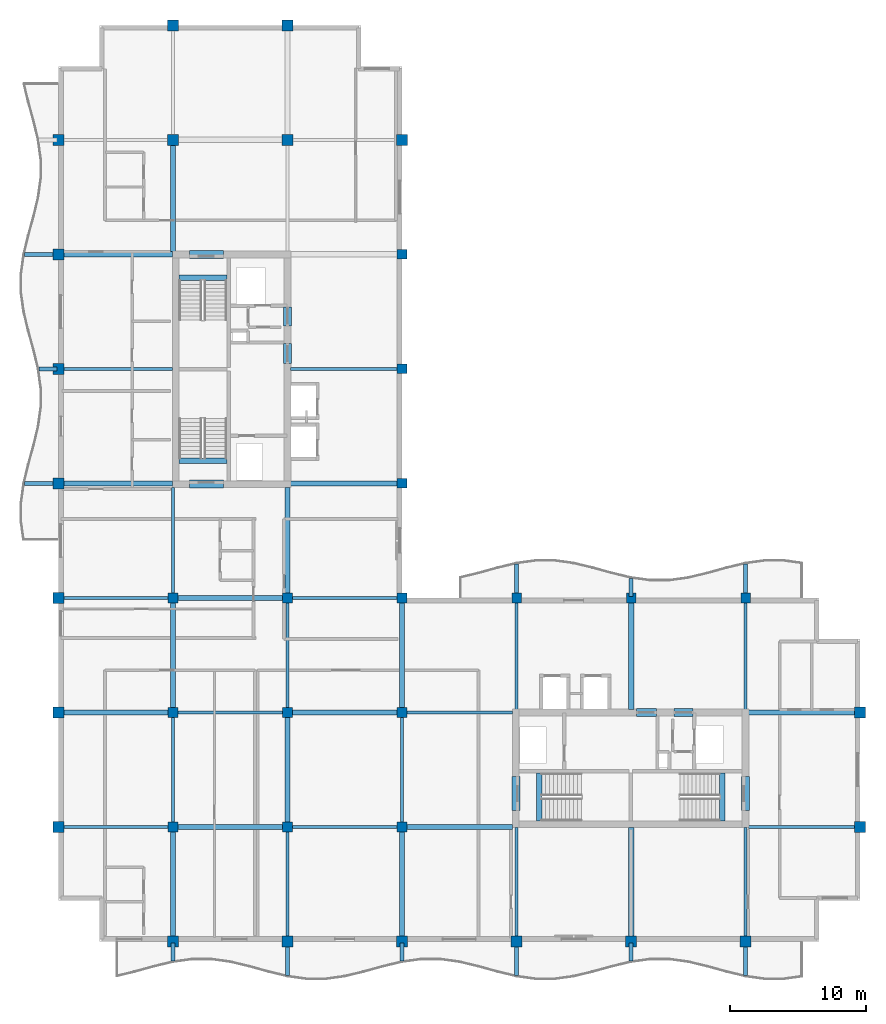
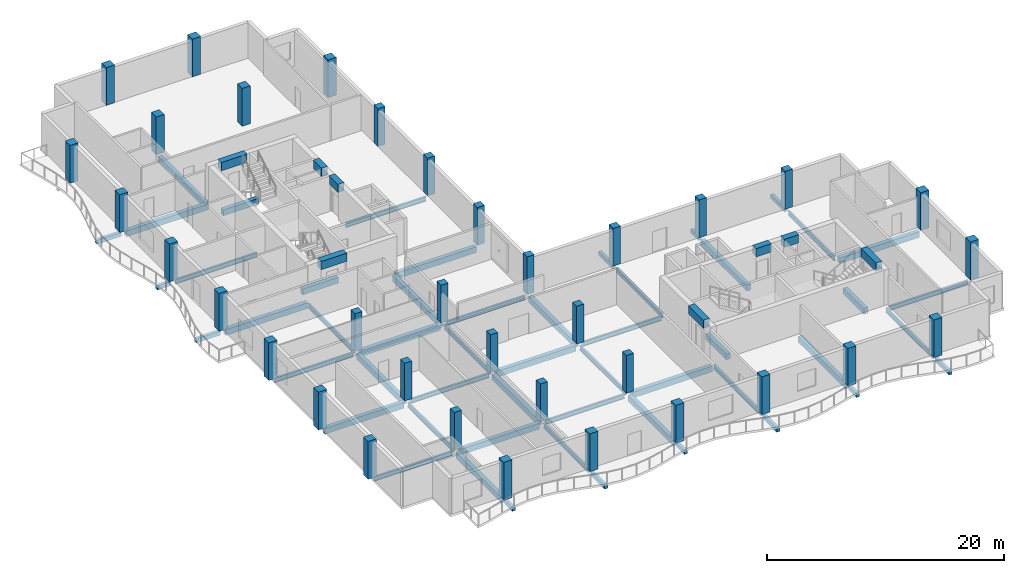
# One storey, part 1 of 11: 60 beams, 35 columns.
"""IFC4 building model written with IfcOpenShell, lengths in metres."""

import ifcopenshell
import ifcopenshell.guid

model = None  # the IFC model being written
_history = None  # IfcOwnerHistory: only IFC2X3 demands one
_inside = {}  # id of a spatial element -> (the spatial element, [elements in it])
_under = {}  # id of a project, library or spatial element -> (it, [spatial elements below it])
_declared = {}  # id of a project -> (the project, [libraries it declares])
_typed = {}  # id of a type object -> (the type object, [elements of that type])
_made_of = {}  # id of a material, layer set ... -> (it, [elements and type objects made of it])


def new_model(schema):
    """Start an empty IFC model of exactly this schema.

    Asked for "IFC4X3", IfcOpenShell would pick the latest addendum, in which some entities
    have other attributes; the version numbers below select the first issue.
    IFC2X3 requires an IfcOwnerHistory on every rooted entity: one is made here for all.
    """
    global model, _history
    if schema == "IFC4X3":
        model = ifcopenshell.file(schema_version=(4, 3, 0, 0))
    else:
        model = ifcopenshell.file(schema=schema)
    _inside.clear()
    _under.clear()
    _declared.clear()
    _typed.clear()
    _made_of.clear()
    _history = None
    if model.schema == "IFC2X3":
        org = make("IfcOrganization", Name="unknown")
        user = make(
            "IfcPersonAndOrganization",
            ThePerson=make("IfcPerson", FamilyName="unknown"),
            TheOrganization=org,
        )
        app = make(
            "IfcApplication",
            ApplicationDeveloper=org,
            Version="unknown",
            ApplicationFullName="unknown",
            ApplicationIdentifier="unknown",
        )
        _history = make(
            "IfcOwnerHistory",
            OwningUser=user,
            OwningApplication=app,
            ChangeAction="ADDED",
            CreationDate=0,
        )
    return model


def make(cls, **values):
    """One entity of the class cls with the attributes given. An attribute that is None is left unset."""
    return model.create_entity(
        cls, **{name: value for name, value in values.items() if value is not None}
    )


def rooted(cls, **values):
    """An entity with a GlobalId (a new one), such as an element, a storey or a relation."""
    return make(cls, GlobalId=ifcopenshell.guid.new(), OwnerHistory=_history, **values)


def si_unit(unit_type, name, prefix=None):
    """IfcSIUnit, for example si_unit("LENGTHUNIT", "METRE", prefix="MILLI")."""
    return make("IfcSIUnit", UnitType=unit_type, Prefix=prefix, Name=name)


def assignment(units):
    """IfcUnitAssignment: the units of a project."""
    return None if units is None else make("IfcUnitAssignment", Units=units)


def point(xyz):
    """IfcCartesianPoint."""
    return None if xyz is None else make("IfcCartesianPoint", Coordinates=xyz)


def direction(xyz):
    """IfcDirection."""
    return None if xyz is None else make("IfcDirection", DirectionRatios=xyz)


def frame(location, z_axis=None, x_axis=None):
    """IfcAxis2Placement3D, a coordinate frame: its origin and axes. An axis left out is left unset."""
    return make(
        "IfcAxis2Placement3D",
        Location=point(location),
        Axis=direction(z_axis),
        RefDirection=direction(x_axis),
    )


def frame_2d(location, x_axis=None):
    """IfcAxis2Placement2D, a coordinate frame in the plane: its origin and x axis."""
    return make(
        "IfcAxis2Placement2D", Location=point(location), RefDirection=direction(x_axis)
    )


def origin():
    """The frame at (0, 0, 0) with its axes left unset."""
    return frame((0.0, 0.0, 0.0))


def origin_2d():
    """The frame at (0, 0) in the plane with its x axis left unset."""
    return frame_2d((0.0, 0.0))


def place(relative_to, where):
    """IfcLocalPlacement: puts the frame where relative to a parent placement (None: the world)."""
    return make(
        "IfcLocalPlacement", PlacementRelTo=relative_to, RelativePlacement=where
    )


def context(
    kind, dimensions, precision=None, world=None, true_north=None, identifier=None
):
    """IfcGeometricRepresentationContext, for example the 3D "Model" context."""
    return make(
        "IfcGeometricRepresentationContext",
        ContextIdentifier=identifier,
        ContextType=kind,
        CoordinateSpaceDimension=dimensions,
        Precision=precision,
        WorldCoordinateSystem=world,
        TrueNorth=true_north,
    )


def subcontext(parent, identifier, kind, view, scale=None):
    """IfcGeometricRepresentationSubContext, for example "Body" below "Model"."""
    return make(
        "IfcGeometricRepresentationSubContext",
        ContextIdentifier=identifier,
        ContextType=kind,
        ParentContext=parent,
        TargetScale=scale,
        TargetView=view,
    )


def project(units=None, contexts=None):
    """IfcProject with its units and contexts."""
    return rooted(
        "IfcProject",
        Name="project",
        RepresentationContexts=contexts,
        UnitsInContext=assignment(units),
    )


def spatial(cls, under=None, at=None, **own):
    """A site, building, storey or space (cls), placed at a placement, below another one or the project."""
    s = rooted(cls, ObjectPlacement=at, **own)
    if under is not None:
        _under.setdefault(under.id(), (under, []))[1].append(s)
    return s


def profile(cls, at=None, kind="AREA", **sizes):
    """A parametric profile (cls). Its sizes go by their IFC names, for example OverallWidth=200.0."""
    return make(cls, ProfileType=kind, Position=at, **sizes)


def rectangle(**sizes):
    """IfcRectangleProfileDef."""
    return profile("IfcRectangleProfileDef", **sizes)


def i_section(**sizes):
    """IfcIShapeProfileDef."""
    return profile("IfcIShapeProfileDef", **sizes)


def extrude(swept, where, along, depth):
    """IfcExtrudedAreaSolid: the profile swept, set in the frame where, extruded along a direction by depth."""
    return make(
        "IfcExtrudedAreaSolid",
        SweptArea=swept,
        Position=where,
        ExtrudedDirection=direction(along),
        Depth=depth,
    )


def shape(context_of_items, identifier, shape_type, items):
    """IfcShapeRepresentation: the items that make up one representation, for example the "Body"."""
    return make(
        "IfcShapeRepresentation",
        ContextOfItems=context_of_items,
        RepresentationIdentifier=identifier,
        RepresentationType=shape_type,
        Items=items,
    )


def material(Name=None, Category=None):
    """IfcMaterial."""
    return make("IfcMaterial", Name=Name, Category=Category)


def material_profile(
    of_material, cross_section, Name=None, Category=None, Priority=None
):
    """IfcMaterialProfile: a cross section and its material."""
    return make(
        "IfcMaterialProfile",
        Name=Name,
        Material=of_material,
        Profile=cross_section,
        Priority=Priority,
        Category=Category,
    )


def profile_set(profiles, Name=None, composite=None):
    """IfcMaterialProfileSet."""
    return make(
        "IfcMaterialProfileSet",
        Name=Name,
        MaterialProfiles=profiles,
        CompositeProfile=composite,
    )


def made_of(thing, what):
    """Note that an element or type object is made of a material, layer set ...; save() writes the relation."""
    if what is not None:
        _made_of.setdefault(what.id(), (what, []))[1].append(thing)
    return thing


def type_object(cls, material=None, **own):
    """A type object (cls), such as IfcWallType, which elements share."""
    return made_of(rooted(cls, **own), material)


def element(
    cls,
    number,
    at=None,
    inside=None,
    cuts=None,
    type_object=None,
    material=None,
    context=None,
    identifier="Body",
    shape_type=None,
    held_by="IfcProductDefinitionShape",
    body=None,
    shapes=None,
    **own,
):
    """One element of the class cls, such as IfcWall. Its Tag is "e" and its number.

    at: its placement. inside: the storey or other place that contains it. cuts: it is an
    opening in that element (IfcRelVoidsElement). A single representation is given by context,
    identifier, shape_type and body (its items); several are given by shapes. held_by: the class
    of the entity that holds the representations. save() writes the other relations.
    """
    e = rooted(cls, Tag="e%d" % number, ObjectPlacement=at, **own)
    if body is not None:
        shapes = [shape(context, identifier, shape_type, body)]
    if shapes is not None:
        e.Representation = make(held_by, Representations=shapes)
    if inside is not None:
        _inside.setdefault(inside.id(), (inside, []))[1].append(e)
    if cuts is not None:
        rooted(
            "IfcRelVoidsElement", RelatingBuildingElement=cuts, RelatedOpeningElement=e
        )
    if type_object is not None:
        _typed.setdefault(type_object.id(), (type_object, []))[1].append(e)
    return made_of(e, material)


def aggregate(whole, parts):
    """IfcRelAggregates: a whole, such as a stair, and the parts it consists of."""
    return rooted("IfcRelAggregates", RelatingObject=whole, RelatedObjects=parts)


def save(model, path):
    """Write the relations noted so far, then the file.

    IfcRelAggregates (storeys below a building ...), IfcRelContainedInSpatialStructure (elements
    in a storey), IfcRelDefinesByType, IfcRelAssociatesMaterial and IfcRelDeclares: one each for
    every whole, place, type object, material and project.
    """
    for whole, parts in _under.values():
        aggregate(whole, parts)
    for where, things in _inside.values():
        rooted(
            "IfcRelContainedInSpatialStructure",
            RelatedElements=things,
            RelatingStructure=where,
        )
    for kind, things in _typed.values():
        rooted("IfcRelDefinesByType", RelatedObjects=things, RelatingType=kind)
    for what, things in _made_of.values():
        rooted("IfcRelAssociatesMaterial", RelatedObjects=things, RelatingMaterial=what)
    for by, libraries in _declared.values():
        rooted("IfcRelDeclares", RelatingContext=by, RelatedDefinitions=libraries)
    model.write(path)


model = new_model("IFC4")

# Units and contexts
model_context = context("Model", 3, precision=1e-05, world=origin(), true_north=direction((0.0, 1.0)))
body_context = subcontext(model_context, "Body", "Model", "MODEL_VIEW")
ifc_project = project(units=[si_unit("LENGTHUNIT", "METRE"), si_unit("AREAUNIT", "SQUARE_METRE"), si_unit("VOLUMEUNIT", "CUBIC_METRE"), si_unit("PLANEANGLEUNIT", "RADIAN"), si_unit("MASSUNIT", "GRAM", prefix="KILO")], contexts=[model_context])

# Site, building, storey
site_placement = place(None, origin())
site = spatial("IfcSite", under=ifc_project, at=site_placement, CompositionType="ELEMENT")
building_placement = place(site_placement, origin())
building = spatial("IfcBuilding", under=site, at=building_placement, Name="Koriwani Terraces Tower", CompositionType="ELEMENT")
storey_placement = place(building_placement, frame((0.0, 0.0, 343.699951171875)))
storey = spatial("IfcBuildingStorey", under=building, at=storey_placement, Name="L85", CompositionType="ELEMENT", Elevation=343.699951171875)

# Columns
ifc_material_1 = material(Name="Concrete C50/60", Category="concrete")
ifc_material_profile_1 = material_profile(ifc_material_1, rectangle(XDim=0.699951171875, YDim=0.699951171875, at=origin_2d()), Name="Concrete C50/60", Category="LoadBearing")
ifc_profile_set_1 = profile_set([ifc_material_profile_1], Name="Concrete C50/60")
column_type_1 = type_object("IfcColumnType", Name="COL_RC_700X700", PredefinedType="COLUMN", material=ifc_profile_set_1)
for number, where, z_axis, x_axis, name in (
    (1, (16.800048828125, 16.800048828125, 0.0), (0.0, 0.0, 1.0), (1.0, 0.0, 0.0), "L85 Column 3/C"),
    (2, (16.800048828125, 25.199951171875, 0.0), (0.0, 0.0, 1.0), (1.0, 0.0, 0.0), "L85 Column 3/D"),
    (3, (16.800048828125, 33.60009765625, 0.0), (0.0, 0.0, 1.0), (1.0, 0.0, 0.0), "L85 Column 3/E"),
    (4, (25.199951171875, 16.800048828125, 0.0), (0.0, 0.0, 1.0), (1.0, 0.0, 0.0), "L85 Column 4/C"),
    (5, (25.199951171875, 25.199951171875, 0.0), (0.0, 0.0, 1.0), (1.0, 0.0, 0.0), "L85 Column 4/D"),
    (6, (25.199951171875, 33.60009765625, 0.0), (0.0, 0.0, 1.0), (1.0, 0.0, 0.0), "L85 Column 4/E"),
    (7, (33.60009765625, 16.800048828125, 0.0), (0.0, 0.0, 1.0), (1.0, 0.0, 0.0), "L85 Column 5/C"),
    (8, (33.60009765625, 25.199951171875, 0.0), (0.0, 0.0, 1.0), (1.0, 0.0, 0.0), "L85 Column 5/D"),
    (9, (33.60009765625, 33.60009765625, 0.0), (0.0, 0.0, 1.0), (1.0, 0.0, 0.0), "L85 Column 5/E"),
    (10, (33.60009765625, 42.0, 0.0), (0.0, 0.0, 1.0), (1.0, 0.0, 0.0), "L85 Column 5/F"),
    (11, (33.60009765625, 50.39990234375, 0.0), (0.0, 0.0, 1.0), (1.0, 0.0, 0.0), "L85 Column 5/G"),
    (12, (33.60009765625, 58.800048828125, 0.0), (0.0, 0.0, 1.0), (1.0, 0.0, 0.0), "L85 Column 5/H"),
    (13, (42.0, 33.60009765625, 0.0), (0.0, 0.0, 1.0), (1.0, 0.0, 0.0), "L85 Column 6/E"),
    (14, (50.39990234375, 33.60009765625, 0.0), (0.0, 0.0, 1.0), (1.0, 0.0, 0.0), "L85 Column 7/E"),
    (15, (58.800048828125, 33.60009765625, 0.0), (0.0, 0.0, 1.0), (1.0, 0.0, 0.0), "L85 Column 8/E"),
):
    element("IfcColumn", number, at=place(storey_placement, frame(where, z_axis=z_axis, x_axis=x_axis)), inside=storey, type_object=column_type_1, Name=name, PredefinedType="COLUMN", context=body_context, shape_type="SweptSolid", body=[
        extrude(rectangle(XDim=0.699951171875, YDim=0.699951171875, at=origin_2d()), origin(), (0.0, 0.0, 1.0), 3.900146484375),
    ])
ifc_material_profile_2 = material_profile(ifc_material_1, rectangle(XDim=0.800048828125, YDim=0.800048828125, at=origin_2d()), Name="Concrete C50/60", Category="LoadBearing")
ifc_profile_set_2 = profile_set([ifc_material_profile_2], Name="Concrete C50/60")
column_type_2 = type_object("IfcColumnType", Name="COL_RC_800X800", PredefinedType="COLUMN", material=ifc_profile_set_2)
for number, where, z_axis, x_axis, name in (
    (16, (8.39990234375, 16.800048828125, 0.0), (0.0, 0.0, 1.0), (1.0, 0.0, 0.0), "L85 Column 2/C"),
    (17, (8.39990234375, 25.199951171875, 0.0), (0.0, 0.0, 1.0), (1.0, 0.0, 0.0), "L85 Column 2/D"),
    (18, (8.39990234375, 33.60009765625, 0.0), (0.0, 0.0, 1.0), (1.0, 0.0, 0.0), "L85 Column 2/E"),
    (19, (8.39990234375, 42.0, 0.0), (0.0, 0.0, 1.0), (1.0, 0.0, 0.0), "L85 Column 2/F"),
    (20, (8.39990234375, 50.39990234375, 0.0), (0.0, 0.0, 1.0), (1.0, 0.0, 0.0), "L85 Column 2/G"),
    (21, (8.39990234375, 58.800048828125, 0.0), (0.0, 0.0, 1.0), (1.0, 0.0, 0.0), "L85 Column 2/H"),
    (22, (8.39990234375, 67.199951171875, 0.0), (0.0, 0.0, 1.0), (1.0, 0.0, 0.0), "L85 Column 2/I"),
    (23, (16.800048828125, 8.39990234375, 0.0), (0.0, 0.0, 1.0), (1.0, 0.0, 0.0), "L85 Column 3/B"),
    (24, (16.800048828125, 67.199951171875, 0.0), (0.0, 0.0, 1.0), (1.0, 0.0, 0.0), "L85 Column 3/I"),
    (25, (16.800048828125, 75.60009765625, 0.0), (0.0, 0.0, 1.0), (1.0, 0.0, 0.0), "L85 Column 3/J"),
    (26, (25.199951171875, 8.39990234375, 0.0), (0.0, 0.0, 1.0), (1.0, 0.0, 0.0), "L85 Column 4/B"),
    (27, (25.199951171875, 67.199951171875, 0.0), (0.0, 0.0, 1.0), (1.0, 0.0, 0.0), "L85 Column 4/I"),
    (28, (25.199951171875, 75.60009765625, 0.0), (0.0, 0.0, 1.0), (1.0, 0.0, 0.0), "L85 Column 4/J"),
    (29, (33.60009765625, 8.39990234375, 0.0), (0.0, 0.0, 1.0), (1.0, 0.0, 0.0), "L85 Column 5/B"),
    (30, (33.60009765625, 67.199951171875, 0.0), (0.0, 0.0, 1.0), (1.0, 0.0, 0.0), "L85 Column 5/I"),
    (31, (42.0, 8.39990234375, 0.0), (0.0, 0.0, 1.0), (1.0, 0.0, 0.0), "L85 Column 6/B"),
    (32, (50.39990234375, 8.39990234375, 0.0), (0.0, 0.0, 1.0), (1.0, 0.0, 0.0), "L85 Column 7/B"),
    (33, (58.800048828125, 8.39990234375, 0.0), (0.0, 0.0, 1.0), (1.0, 0.0, 0.0), "L85 Column 8/B"),
    (34, (67.199951171875, 16.800048828125, 0.0), (0.0, 0.0, 1.0), (1.0, 0.0, 0.0), "L85 Column 9/C"),
    (35, (67.199951171875, 25.199951171875, 0.0), (0.0, 0.0, 1.0), (1.0, 0.0, 0.0), "L85 Column 9/D"),
):
    element("IfcColumn", number, at=place(storey_placement, frame(where, z_axis=z_axis, x_axis=x_axis)), inside=storey, type_object=column_type_2, Name=name, PredefinedType="COLUMN", context=body_context, shape_type="SweptSolid", body=[
        extrude(rectangle(XDim=0.800048828125, YDim=0.800048828125, at=origin_2d()), origin(), (0.0, 0.0, 1.0), 3.900146484375),
    ])

# Beams
ifc_material_2 = material(Name="Concrete C40/50", Category="concrete")
ifc_material_profile_3 = material_profile(ifc_material_2, rectangle(XDim=0.300048828125, YDim=0.39990234375, at=origin_2d()), Name="Concrete C40/50", Category="LoadBearing")
ifc_profile_set_3 = profile_set([ifc_material_profile_3], Name="Concrete C40/50")
beam_type_1 = type_object("IfcBeamType", Name="BEAM_RC_BALCONY_RIB_300X400", PredefinedType="JOIST", material=ifc_profile_set_3)
beam_1_placement = place(storey_placement, frame((16.800048828125, 6.980224609375, -0.429931640625), z_axis=(0.0, 1.0, 0.0), x_axis=(-1.0, 0.0, 0.0)))
element("IfcBeam", 36, at=beam_1_placement, inside=storey, type_object=beam_type_1, Name="L85 Balcony Bracket Rib S-1", PredefinedType="JOIST", context=body_context, shape_type="SweptSolid", body=[
    extrude(rectangle(XDim=0.300048828125, YDim=0.39990234375, at=origin_2d()), origin(), (0.0, 0.0, 1.0), 1.31982421875),
])
beam_2_placement = place(storey_placement, frame((25.199951171875, 5.919677734375, -0.429931640625), z_axis=(0.0, 1.0, 0.0), x_axis=(-1.0, 0.0, 0.0)))
element("IfcBeam", 37, at=beam_2_placement, inside=storey, type_object=beam_type_1, Name="L85 Balcony Bracket Rib S-2", PredefinedType="JOIST", context=body_context, shape_type="SweptSolid", body=[
    extrude(rectangle(XDim=0.300048828125, YDim=0.39990234375, at=origin_2d()), origin(), (0.0, 0.0, 1.0), 2.38037109375),
])
beam_3_placement = place(storey_placement, frame((33.60009765625, 6.980224609375, -0.429931640625), z_axis=(0.0, 1.0, 0.0), x_axis=(-1.0, 0.0, 0.0)))
element("IfcBeam", 38, at=beam_3_placement, inside=storey, type_object=beam_type_1, Name="L85 Balcony Bracket Rib S-3", PredefinedType="JOIST", context=body_context, shape_type="SweptSolid", body=[
    extrude(rectangle(XDim=0.300048828125, YDim=0.39990234375, at=origin_2d()), origin(), (0.0, 0.0, 1.0), 1.31982421875),
])
beam_4_placement = place(storey_placement, frame((42.0, 5.919677734375, -0.429931640625), z_axis=(0.0, 1.0, 0.0), x_axis=(-1.0, 0.0, 0.0)))
element("IfcBeam", 39, at=beam_4_placement, inside=storey, type_object=beam_type_1, Name="L85 Balcony Bracket Rib S-4", PredefinedType="JOIST", context=body_context, shape_type="SweptSolid", body=[
    extrude(rectangle(XDim=0.300048828125, YDim=0.39990234375, at=origin_2d()), origin(), (0.0, 0.0, 1.0), 2.38037109375),
])
beam_5_placement = place(storey_placement, frame((50.39990234375, 6.980224609375, -0.429931640625), z_axis=(0.0, 1.0, 0.0), x_axis=(-1.0, 0.0, 0.0)))
element("IfcBeam", 40, at=beam_5_placement, inside=storey, type_object=beam_type_1, Name="L85 Balcony Bracket Rib S-5", PredefinedType="JOIST", context=body_context, shape_type="SweptSolid", body=[
    extrude(rectangle(XDim=0.300048828125, YDim=0.39990234375, at=origin_2d()), origin(), (0.0, 0.0, 1.0), 1.31982421875),
])
for number, where, z_axis, x_axis, name in (
    (41, (58.800048828125, 5.919677734375, -0.429931640625), (0.0, 1.0, 0.0), (-1.0, 0.0, 0.0), "L85 Balcony Bracket Rib S-6"),
    (42, (5.919677734375, 42.0, -0.429931640625), (1.0, 0.0, 0.0), (0.0, 1.0, 0.0), "L85 Balcony Bracket Rib W-1"),
):
    element("IfcBeam", number, at=place(storey_placement, frame(where, z_axis=z_axis, x_axis=x_axis)), inside=storey, type_object=beam_type_1, Name=name, PredefinedType="JOIST", context=body_context, shape_type="SweptSolid", body=[
        extrude(rectangle(XDim=0.300048828125, YDim=0.39990234375, at=origin_2d()), origin(), (0.0, 0.0, 1.0), 2.38037109375),
    ])
beam_6_placement = place(storey_placement, frame((6.980224609375, 50.39990234375, -0.429931640625), z_axis=(1.0, 0.0, 0.0), x_axis=(0.0, 1.0, 0.0)))
element("IfcBeam", 43, at=beam_6_placement, inside=storey, type_object=beam_type_1, Name="L85 Balcony Bracket Rib W-2", PredefinedType="JOIST", context=body_context, shape_type="SweptSolid", body=[
    extrude(rectangle(XDim=0.300048828125, YDim=0.39990234375, at=origin_2d()), origin(), (0.0, 0.0, 1.0), 1.31982421875),
])
for number, where, z_axis, x_axis, name in (
    (44, (5.919677734375, 58.800048828125, -0.429931640625), (1.0, 0.0, 0.0), (0.0, 1.0, 0.0), "L85 Balcony Bracket Rib W-3"),
    (45, (42.0, 33.699951171875, -0.429931640625), (0.0, 1.0, 0.0), (-1.0, 0.0, 0.0), "L85 Balcony Bracket Rib NE-1"),
):
    element("IfcBeam", number, at=place(storey_placement, frame(where, z_axis=z_axis, x_axis=x_axis)), inside=storey, type_object=beam_type_1, Name=name, PredefinedType="JOIST", context=body_context, shape_type="SweptSolid", body=[
        extrude(rectangle(XDim=0.300048828125, YDim=0.39990234375, at=origin_2d()), origin(), (0.0, 0.0, 1.0), 2.38037109375),
    ])
beam_7_placement = place(storey_placement, frame((50.39990234375, 33.699951171875, -0.429931640625), z_axis=(0.0, 1.0, 0.0), x_axis=(-1.0, 0.0, 0.0)))
element("IfcBeam", 46, at=beam_7_placement, inside=storey, type_object=beam_type_1, Name="L85 Balcony Bracket Rib NE-2", PredefinedType="JOIST", context=body_context, shape_type="SweptSolid", body=[
    extrude(rectangle(XDim=0.300048828125, YDim=0.39990234375, at=origin_2d()), origin(), (0.0, 0.0, 1.0), 1.31982421875),
])
beam_8_placement = place(storey_placement, frame((58.800048828125, 33.699951171875, -0.429931640625), z_axis=(0.0, 1.0, 0.0), x_axis=(-1.0, 0.0, 0.0)))
element("IfcBeam", 47, at=beam_8_placement, inside=storey, type_object=beam_type_1, Name="L85 Balcony Bracket Rib NE-3", PredefinedType="JOIST", context=body_context, shape_type="SweptSolid", body=[
    extrude(rectangle(XDim=0.300048828125, YDim=0.39990234375, at=origin_2d()), origin(), (0.0, 0.0, 1.0), 2.38037109375),
])
ifc_material_profile_4 = material_profile(ifc_material_1, rectangle(XDim=0.60009765625, YDim=0.85009765625, at=origin_2d()), Name="Concrete C50/60", Category="LoadBearing")
ifc_profile_set_4 = profile_set([ifc_material_profile_4], Name="Concrete C50/60")
beam_type_2 = type_object("IfcBeamType", Name="BEAM_RC_COUPLING_600X850", PredefinedType="LINTEL", material=ifc_profile_set_4)
beam_9_placement = place(storey_placement, frame((25.199951171875, 50.800048828125, 3.2451171875), z_axis=(0.0, 1.0, 0.0), x_axis=(-1.0, 0.0, 0.0)))
element("IfcBeam", 48, at=beam_9_placement, inside=storey, type_object=beam_type_2, Name="L85 Core Coupling Lintel Beam WE1", PredefinedType="LINTEL", context=body_context, shape_type="SweptSolid", body=[
    extrude(rectangle(XDim=0.60009765625, YDim=0.85009765625, at=origin_2d()), origin(), (0.0, 0.0, 1.0), 1.47998046875),
])
beam_10_placement = place(storey_placement, frame((25.199951171875, 53.550048828125, 3.2451171875), z_axis=(0.0, 1.0, 0.0), x_axis=(-1.0, 0.0, 0.0)))
element("IfcBeam", 49, at=beam_10_placement, inside=storey, type_object=beam_type_2, Name="L85 Core Coupling Lintel Beam WE2", PredefinedType="LINTEL", context=body_context, shape_type="SweptSolid", body=[
    extrude(rectangle(XDim=0.60009765625, YDim=0.85009765625, at=origin_2d()), origin(), (0.0, 0.0, 1.0), 1.39990234375),
])
for number, where, z_axis, x_axis, name in (
    (50, (18.0, 41.949951171875, 3.2451171875), (1.0, 0.0, 0.0), (0.0, 1.0, 0.0), "L85 Core Coupling Lintel Beam WS"),
    (51, (18.0, 58.800048828125, 3.2451171875), (1.0, 0.0, 0.0), (0.0, 1.0, 0.0), "L85 Core Coupling Lintel Beam WN"),
):
    element("IfcBeam", number, at=place(storey_placement, frame(where, z_axis=z_axis, x_axis=x_axis)), inside=storey, type_object=beam_type_2, Name=name, PredefinedType="LINTEL", context=body_context, shape_type="SweptSolid", body=[
        extrude(rectangle(XDim=0.60009765625, YDim=0.85009765625, at=origin_2d()), origin(), (0.0, 0.0, 1.0), 2.5),
    ])
beam_11_placement = place(storey_placement, frame((50.800048828125, 25.199951171875, 3.2451171875), z_axis=(1.0, 0.0, 0.0), x_axis=(0.0, 1.0, 0.0)))
element("IfcBeam", 52, at=beam_11_placement, inside=storey, type_object=beam_type_2, Name="L85 Core Coupling Lintel Beam EN1", PredefinedType="LINTEL", context=body_context, shape_type="SweptSolid", body=[
    extrude(rectangle(XDim=0.60009765625, YDim=0.85009765625, at=origin_2d()), origin(), (0.0, 0.0, 1.0), 1.47998046875),
])
beam_12_placement = place(storey_placement, frame((53.550048828125, 25.199951171875, 3.2451171875), z_axis=(1.0, 0.0, 0.0), x_axis=(0.0, 1.0, 0.0)))
element("IfcBeam", 53, at=beam_12_placement, inside=storey, type_object=beam_type_2, Name="L85 Core Coupling Lintel Beam EN2", PredefinedType="LINTEL", context=body_context, shape_type="SweptSolid", body=[
    extrude(rectangle(XDim=0.60009765625, YDim=0.85009765625, at=origin_2d()), origin(), (0.0, 0.0, 1.0), 1.39990234375),
])
for number, where, z_axis, x_axis, name in (
    (54, (41.949951171875, 18.0, 3.2451171875), (0.0, 1.0, 0.0), (-1.0, 0.0, 0.0), "L85 Core Coupling Lintel Beam EW"),
    (55, (58.800048828125, 18.0, 3.2451171875), (0.0, 1.0, 0.0), (-1.0, 0.0, 0.0), "L85 Core Coupling Lintel Beam EE"),
):
    element("IfcBeam", number, at=place(storey_placement, frame(where, z_axis=z_axis, x_axis=x_axis)), inside=storey, type_object=beam_type_2, Name=name, PredefinedType="LINTEL", context=body_context, shape_type="SweptSolid", body=[
        extrude(rectangle(XDim=0.60009765625, YDim=0.85009765625, at=origin_2d()), origin(), (0.0, 0.0, 1.0), 2.5),
    ])
ifc_material_profile_5 = material_profile(ifc_material_2, rectangle(XDim=0.39990234375, YDim=0.60009765625, at=origin_2d()), Name="Concrete C40/50", Category="LoadBearing")
ifc_profile_set_5 = profile_set([ifc_material_profile_5], Name="Concrete C40/50")
beam_type_3 = type_object("IfcBeamType", Name="BEAM_RC_GRID_400X600", PredefinedType="BEAM", material=ifc_profile_set_5)
for number, where, z_axis, x_axis, name in (
    (56, (17.25, 43.655029296875, -0.300048828125), (1.0, 0.0, 0.0), (0.0, 1.0, 0.0), "L85 Stairwell Header Trimmer Beam ST-W1"),
    (57, (17.25, 57.094970703125, -0.300048828125), (1.0, 0.0, 0.0), (0.0, 1.0, 0.0), "L85 Stairwell Header Trimmer Beam ST-W2"),
    (58, (43.655029296875, 17.25, -0.300048828125), (0.0, 1.0, 0.0), (-1.0, 0.0, 0.0), "L85 Stairwell Header Trimmer Beam ST-E1"),
    (59, (57.094970703125, 17.25, -0.300048828125), (0.0, 1.0, 0.0), (-1.0, 0.0, 0.0), "L85 Stairwell Header Trimmer Beam ST-E2"),
):
    element("IfcBeam", number, at=place(storey_placement, frame(where, z_axis=z_axis, x_axis=x_axis)), inside=storey, type_object=beam_type_3, Name=name, PredefinedType="BEAM", context=body_context, shape_type="SweptSolid", body=[
        extrude(rectangle(XDim=0.39990234375, YDim=0.60009765625, at=origin_2d()), origin(), (0.0, 0.0, 1.0), 3.5),
    ])
beam_13_placement = place(storey_placement, frame((17.1298828125, 16.800048828125, -0.530029296875), z_axis=(1.0, 0.0, 0.0), x_axis=(0.0, 1.0, 0.0)))
element("IfcBeam", 60, at=beam_13_placement, inside=storey, type_object=beam_type_3, Name="L85 Grid Beam C (16.8-25.2m)", PredefinedType="BEAM", context=body_context, shape_type="SweptSolid", body=[
    extrude(rectangle(XDim=0.39990234375, YDim=0.60009765625, at=origin_2d()), origin(), (0.0, 0.0, 1.0), 7.740234375),
])
beam_14_placement = place(storey_placement, frame((33.929931640625, 16.800048828125, -0.530029296875), z_axis=(1.0, 0.0, 0.0), x_axis=(0.0, 1.0, 0.0)))
element("IfcBeam", 61, at=beam_14_placement, inside=storey, type_object=beam_type_3, Name="L85 Grid Beam C (33.6-42.0m)", PredefinedType="BEAM", context=body_context, shape_type="SweptSolid", body=[
    extrude(rectangle(XDim=0.39990234375, YDim=0.60009765625, at=origin_2d()), origin(), (0.0, 0.0, 1.0), 7.7900390625),
])
beam_15_placement = place(storey_placement, frame((8.780029296875, 25.199951171875, -0.530029296875), z_axis=(1.0, 0.0, 0.0), x_axis=(0.0, 1.0, 0.0)))
element("IfcBeam", 62, at=beam_15_placement, inside=storey, type_object=beam_type_3, Name="L85 Grid Beam D (8.4-16.8m)", PredefinedType="BEAM", context=body_context, shape_type="SweptSolid", body=[
    extrude(rectangle(XDim=0.39990234375, YDim=0.60009765625, at=origin_2d()), origin(), (0.0, 0.0, 1.0), 7.68994140625),
])
beam_16_placement = place(storey_placement, frame((25.530029296875, 25.199951171875, -0.530029296875), z_axis=(1.0, 0.0, 0.0), x_axis=(0.0, 1.0, 0.0)))
element("IfcBeam", 63, at=beam_16_placement, inside=storey, type_object=beam_type_3, Name="L85 Grid Beam D (25.2-33.6m)", PredefinedType="BEAM", context=body_context, shape_type="SweptSolid", body=[
    extrude(rectangle(XDim=0.39990234375, YDim=0.60009765625, at=origin_2d()), origin(), (0.0, 0.0, 1.0), 7.739990234375),
])
beam_17_placement = place(storey_placement, frame((59.030029296875, 25.199951171875, -0.530029296875), z_axis=(1.0, 0.0, 0.0), x_axis=(0.0, 1.0, 0.0)))
element("IfcBeam", 64, at=beam_17_placement, inside=storey, type_object=beam_type_3, Name="L85 Grid Beam D (58.8-67.2m)", PredefinedType="BEAM", context=body_context, shape_type="SweptSolid", body=[
    extrude(rectangle(XDim=0.39990234375, YDim=0.60009765625, at=origin_2d()), origin(), (0.0, 0.0, 1.0), 7.7900390625),
])
beam_18_placement = place(storey_placement, frame((17.1298828125, 33.60009765625, -0.530029296875), z_axis=(1.0, 0.0, 0.0), x_axis=(0.0, 1.0, 0.0)))
element("IfcBeam", 65, at=beam_18_placement, inside=storey, type_object=beam_type_3, Name="L85 Grid Beam E (16.8-25.2m)", PredefinedType="BEAM", context=body_context, shape_type="SweptSolid", body=[
    extrude(rectangle(XDim=0.39990234375, YDim=0.60009765625, at=origin_2d()), origin(), (0.0, 0.0, 1.0), 7.740234375),
])
beam_19_placement = place(storey_placement, frame((8.780029296875, 42.0, -0.530029296875), z_axis=(1.0, 0.0, 0.0), x_axis=(0.0, 1.0, 0.0)))
element("IfcBeam", 66, at=beam_19_placement, inside=storey, type_object=beam_type_3, Name="L85 Grid Beam F (8.4-16.8m)", PredefinedType="BEAM", context=body_context, shape_type="SweptSolid", body=[
    extrude(rectangle(XDim=0.39990234375, YDim=0.60009765625, at=origin_2d()), origin(), (0.0, 0.0, 1.0), 7.989990234375),
])
beam_20_placement = place(storey_placement, frame((25.429931640625, 42.0, -0.530029296875), z_axis=(1.0, 0.0, 0.0), x_axis=(0.0, 1.0, 0.0)))
element("IfcBeam", 67, at=beam_20_placement, inside=storey, type_object=beam_type_3, Name="L85 Grid Beam F (25.2-33.6m)", PredefinedType="BEAM", context=body_context, shape_type="SweptSolid", body=[
    extrude(rectangle(XDim=0.39990234375, YDim=0.60009765625, at=origin_2d()), origin(), (0.0, 0.0, 1.0), 7.840087890625),
])
beam_21_placement = place(storey_placement, frame((8.780029296875, 58.800048828125, -0.530029296875), z_axis=(1.0, 0.0, 0.0), x_axis=(0.0, 1.0, 0.0)))
element("IfcBeam", 68, at=beam_21_placement, inside=storey, type_object=beam_type_3, Name="L85 Grid Beam H (8.4-16.8m)", PredefinedType="BEAM", context=body_context, shape_type="SweptSolid", body=[
    extrude(rectangle(XDim=0.39990234375, YDim=0.60009765625, at=origin_2d()), origin(), (0.0, 0.0, 1.0), 7.989990234375),
])
beam_22_placement = place(storey_placement, frame((16.800048828125, 8.780029296875, -0.530029296875), z_axis=(0.0, 1.0, 0.0), x_axis=(-1.0, 0.0, 0.0)))
element("IfcBeam", 69, at=beam_22_placement, inside=storey, type_object=beam_type_3, Name="L85 Grid Beam 3 (8.4-16.8m)", PredefinedType="BEAM", context=body_context, shape_type="SweptSolid", body=[
    extrude(rectangle(XDim=0.39990234375, YDim=0.60009765625, at=origin_2d()), origin(), (0.0, 0.0, 1.0), 7.68994140625),
])
beam_23_placement = place(storey_placement, frame((16.800048828125, 25.530029296875, -0.530029296875), z_axis=(0.0, 1.0, 0.0), x_axis=(-1.0, 0.0, 0.0)))
element("IfcBeam", 70, at=beam_23_placement, inside=storey, type_object=beam_type_3, Name="L85 Grid Beam 3 (25.2-33.6m)", PredefinedType="BEAM", context=body_context, shape_type="SweptSolid", body=[
    extrude(rectangle(XDim=0.39990234375, YDim=0.60009765625, at=origin_2d()), origin(), (0.0, 0.0, 1.0), 7.739990234375),
])
beam_24_placement = place(storey_placement, frame((16.800048828125, 59.030029296875, -0.530029296875), z_axis=(0.0, 1.0, 0.0), x_axis=(-1.0, 0.0, 0.0)))
element("IfcBeam", 71, at=beam_24_placement, inside=storey, type_object=beam_type_3, Name="L85 Grid Beam 3 (58.8-67.2m)", PredefinedType="BEAM", context=body_context, shape_type="SweptSolid", body=[
    extrude(rectangle(XDim=0.39990234375, YDim=0.60009765625, at=origin_2d()), origin(), (0.0, 0.0, 1.0), 7.7900390625),
])
beam_25_placement = place(storey_placement, frame((25.199951171875, 17.1298828125, -0.530029296875), z_axis=(0.0, 1.0, 0.0), x_axis=(-1.0, 0.0, 0.0)))
element("IfcBeam", 72, at=beam_25_placement, inside=storey, type_object=beam_type_3, Name="L85 Grid Beam 4 (16.8-25.2m)", PredefinedType="BEAM", context=body_context, shape_type="SweptSolid", body=[
    extrude(rectangle(XDim=0.39990234375, YDim=0.60009765625, at=origin_2d()), origin(), (0.0, 0.0, 1.0), 7.740234375),
])
beam_26_placement = place(storey_placement, frame((25.199951171875, 33.929931640625, -0.530029296875), z_axis=(0.0, 1.0, 0.0), x_axis=(-1.0, 0.0, 0.0)))
element("IfcBeam", 73, at=beam_26_placement, inside=storey, type_object=beam_type_3, Name="L85 Grid Beam 4 (33.6-42.0m)", PredefinedType="BEAM", context=body_context, shape_type="SweptSolid", body=[
    extrude(rectangle(XDim=0.39990234375, YDim=0.60009765625, at=origin_2d()), origin(), (0.0, 0.0, 1.0), 7.7900390625),
])
beam_27_placement = place(storey_placement, frame((33.60009765625, 8.780029296875, -0.530029296875), z_axis=(0.0, 1.0, 0.0), x_axis=(-1.0, 0.0, 0.0)))
element("IfcBeam", 74, at=beam_27_placement, inside=storey, type_object=beam_type_3, Name="L85 Grid Beam 5 (8.4-16.8m)", PredefinedType="BEAM", context=body_context, shape_type="SweptSolid", body=[
    extrude(rectangle(XDim=0.39990234375, YDim=0.60009765625, at=origin_2d()), origin(), (0.0, 0.0, 1.0), 7.68994140625),
])
beam_28_placement = place(storey_placement, frame((33.60009765625, 25.530029296875, -0.530029296875), z_axis=(0.0, 1.0, 0.0), x_axis=(-1.0, 0.0, 0.0)))
element("IfcBeam", 75, at=beam_28_placement, inside=storey, type_object=beam_type_3, Name="L85 Grid Beam 5 (25.2-33.6m)", PredefinedType="BEAM", context=body_context, shape_type="SweptSolid", body=[
    extrude(rectangle(XDim=0.39990234375, YDim=0.60009765625, at=origin_2d()), origin(), (0.0, 0.0, 1.0), 7.739990234375),
])
beam_29_placement = place(storey_placement, frame((50.39990234375, 8.780029296875, -0.530029296875), z_axis=(0.0, 1.0, 0.0), x_axis=(-1.0, 0.0, 0.0)))
element("IfcBeam", 76, at=beam_29_placement, inside=storey, type_object=beam_type_3, Name="L85 Grid Beam 7 (8.4-16.8m)", PredefinedType="BEAM", context=body_context, shape_type="SweptSolid", body=[
    extrude(rectangle(XDim=0.39990234375, YDim=0.60009765625, at=origin_2d()), origin(), (0.0, 0.0, 1.0), 7.989990234375),
])
beam_30_placement = place(storey_placement, frame((50.39990234375, 25.429931640625, -0.530029296875), z_axis=(0.0, 1.0, 0.0), x_axis=(-1.0, 0.0, 0.0)))
element("IfcBeam", 77, at=beam_30_placement, inside=storey, type_object=beam_type_3, Name="L85 Grid Beam 7 (25.2-33.6m)", PredefinedType="BEAM", context=body_context, shape_type="SweptSolid", body=[
    extrude(rectangle(XDim=0.39990234375, YDim=0.60009765625, at=origin_2d()), origin(), (0.0, 0.0, 1.0), 7.840087890625),
])
ifc_material_3 = material(Name="Steel ASTM A572 Grade 50", Category="steel")
ifc_material_profile_6 = material_profile(ifc_material_3, i_section(OverallWidth=0.19189453125, OverallDepth=0.462890625, WebThickness=0.010498046875, FlangeThickness=0.01611328125, at=origin_2d()), Name="Steel ASTM A572 Grade 50", Category="LoadBearing")
ifc_profile_set_6 = profile_set([ifc_material_profile_6], Name="Steel ASTM A572 Grade 50")
beam_type_4 = type_object("IfcBeamType", Name="STEEL_BEAM_W460X89", PredefinedType="BEAM", material=ifc_profile_set_6)
beam_31_placement = place(storey_placement, frame((8.780029296875, 16.800048828125, -0.46142578125), z_axis=(1.0, 0.0, 0.0), x_axis=(0.0, 1.0, 0.0)))
element("IfcBeam", 78, at=beam_31_placement, inside=storey, type_object=beam_type_4, Name="L85 Grid Beam C (8.4-16.8m)", PredefinedType="BEAM", context=body_context, shape_type="SweptSolid", body=[
    extrude(i_section(OverallWidth=0.19189453125, OverallDepth=0.462890625, WebThickness=0.010498046875, FlangeThickness=0.01611328125, at=origin_2d()), origin(), (0.0, 0.0, 1.0), 7.68994140625),
])
beam_32_placement = place(storey_placement, frame((25.530029296875, 16.800048828125, -0.46142578125), z_axis=(1.0, 0.0, 0.0), x_axis=(0.0, 1.0, 0.0)))
element("IfcBeam", 79, at=beam_32_placement, inside=storey, type_object=beam_type_4, Name="L85 Grid Beam C (25.2-33.6m)", PredefinedType="BEAM", context=body_context, shape_type="SweptSolid", body=[
    extrude(i_section(OverallWidth=0.19189453125, OverallDepth=0.462890625, WebThickness=0.010498046875, FlangeThickness=0.01611328125, at=origin_2d()), origin(), (0.0, 0.0, 1.0), 7.739990234375),
])
beam_33_placement = place(storey_placement, frame((59.030029296875, 16.800048828125, -0.46142578125), z_axis=(1.0, 0.0, 0.0), x_axis=(0.0, 1.0, 0.0)))
element("IfcBeam", 80, at=beam_33_placement, inside=storey, type_object=beam_type_4, Name="L85 Grid Beam C (58.8-67.2m)", PredefinedType="BEAM", context=body_context, shape_type="SweptSolid", body=[
    extrude(i_section(OverallWidth=0.19189453125, OverallDepth=0.462890625, WebThickness=0.010498046875, FlangeThickness=0.01611328125, at=origin_2d()), origin(), (0.0, 0.0, 1.0), 7.7900390625),
])
beam_34_placement = place(storey_placement, frame((17.1298828125, 25.199951171875, -0.46142578125), z_axis=(1.0, 0.0, 0.0), x_axis=(0.0, 1.0, 0.0)))
element("IfcBeam", 81, at=beam_34_placement, inside=storey, type_object=beam_type_4, Name="L85 Grid Beam D (16.8-25.2m)", PredefinedType="BEAM", context=body_context, shape_type="SweptSolid", body=[
    extrude(i_section(OverallWidth=0.19189453125, OverallDepth=0.462890625, WebThickness=0.010498046875, FlangeThickness=0.01611328125, at=origin_2d()), origin(), (0.0, 0.0, 1.0), 7.740234375),
])
beam_35_placement = place(storey_placement, frame((33.929931640625, 25.199951171875, -0.46142578125), z_axis=(1.0, 0.0, 0.0), x_axis=(0.0, 1.0, 0.0)))
element("IfcBeam", 82, at=beam_35_placement, inside=storey, type_object=beam_type_4, Name="L85 Grid Beam D (33.6-42.0m)", PredefinedType="BEAM", context=body_context, shape_type="SweptSolid", body=[
    extrude(i_section(OverallWidth=0.19189453125, OverallDepth=0.462890625, WebThickness=0.010498046875, FlangeThickness=0.01611328125, at=origin_2d()), origin(), (0.0, 0.0, 1.0), 7.7900390625),
])
beam_36_placement = place(storey_placement, frame((8.780029296875, 33.60009765625, -0.46142578125), z_axis=(1.0, 0.0, 0.0), x_axis=(0.0, 1.0, 0.0)))
element("IfcBeam", 83, at=beam_36_placement, inside=storey, type_object=beam_type_4, Name="L85 Grid Beam E (8.4-16.8m)", PredefinedType="BEAM", context=body_context, shape_type="SweptSolid", body=[
    extrude(i_section(OverallWidth=0.19189453125, OverallDepth=0.462890625, WebThickness=0.010498046875, FlangeThickness=0.01611328125, at=origin_2d()), origin(), (0.0, 0.0, 1.0), 7.68994140625),
])
beam_37_placement = place(storey_placement, frame((25.530029296875, 33.60009765625, -0.46142578125), z_axis=(1.0, 0.0, 0.0), x_axis=(0.0, 1.0, 0.0)))
element("IfcBeam", 84, at=beam_37_placement, inside=storey, type_object=beam_type_4, Name="L85 Grid Beam E (25.2-33.6m)", PredefinedType="BEAM", context=body_context, shape_type="SweptSolid", body=[
    extrude(i_section(OverallWidth=0.19189453125, OverallDepth=0.462890625, WebThickness=0.010498046875, FlangeThickness=0.01611328125, at=origin_2d()), origin(), (0.0, 0.0, 1.0), 7.739990234375),
])
beam_38_placement = place(storey_placement, frame((8.780029296875, 50.39990234375, -0.46142578125), z_axis=(1.0, 0.0, 0.0), x_axis=(0.0, 1.0, 0.0)))
element("IfcBeam", 85, at=beam_38_placement, inside=storey, type_object=beam_type_4, Name="L85 Grid Beam G (8.4-16.8m)", PredefinedType="BEAM", context=body_context, shape_type="SweptSolid", body=[
    extrude(i_section(OverallWidth=0.19189453125, OverallDepth=0.462890625, WebThickness=0.010498046875, FlangeThickness=0.01611328125, at=origin_2d()), origin(), (0.0, 0.0, 1.0), 7.989990234375),
])
beam_39_placement = place(storey_placement, frame((25.429931640625, 50.39990234375, -0.46142578125), z_axis=(1.0, 0.0, 0.0), x_axis=(0.0, 1.0, 0.0)))
element("IfcBeam", 86, at=beam_39_placement, inside=storey, type_object=beam_type_4, Name="L85 Grid Beam G (25.2-33.6m)", PredefinedType="BEAM", context=body_context, shape_type="SweptSolid", body=[
    extrude(i_section(OverallWidth=0.19189453125, OverallDepth=0.462890625, WebThickness=0.010498046875, FlangeThickness=0.01611328125, at=origin_2d()), origin(), (0.0, 0.0, 1.0), 7.840087890625),
])
beam_40_placement = place(storey_placement, frame((16.800048828125, 17.1298828125, -0.46142578125), z_axis=(0.0, 1.0, 0.0), x_axis=(-1.0, 0.0, 0.0)))
element("IfcBeam", 87, at=beam_40_placement, inside=storey, type_object=beam_type_4, Name="L85 Grid Beam 3 (16.8-25.2m)", PredefinedType="BEAM", context=body_context, shape_type="SweptSolid", body=[
    extrude(i_section(OverallWidth=0.19189453125, OverallDepth=0.462890625, WebThickness=0.010498046875, FlangeThickness=0.01611328125, at=origin_2d()), origin(), (0.0, 0.0, 1.0), 7.740234375),
])
beam_41_placement = place(storey_placement, frame((16.800048828125, 33.929931640625, -0.46142578125), z_axis=(0.0, 1.0, 0.0), x_axis=(-1.0, 0.0, 0.0)))
element("IfcBeam", 88, at=beam_41_placement, inside=storey, type_object=beam_type_4, Name="L85 Grid Beam 3 (33.6-42.0m)", PredefinedType="BEAM", context=body_context, shape_type="SweptSolid", body=[
    extrude(i_section(OverallWidth=0.19189453125, OverallDepth=0.462890625, WebThickness=0.010498046875, FlangeThickness=0.01611328125, at=origin_2d()), origin(), (0.0, 0.0, 1.0), 7.7900390625),
])
beam_42_placement = place(storey_placement, frame((25.199951171875, 8.780029296875, -0.46142578125), z_axis=(0.0, 1.0, 0.0), x_axis=(-1.0, 0.0, 0.0)))
element("IfcBeam", 89, at=beam_42_placement, inside=storey, type_object=beam_type_4, Name="L85 Grid Beam 4 (8.4-16.8m)", PredefinedType="BEAM", context=body_context, shape_type="SweptSolid", body=[
    extrude(i_section(OverallWidth=0.19189453125, OverallDepth=0.462890625, WebThickness=0.010498046875, FlangeThickness=0.01611328125, at=origin_2d()), origin(), (0.0, 0.0, 1.0), 7.68994140625),
])
beam_43_placement = place(storey_placement, frame((25.199951171875, 25.530029296875, -0.46142578125), z_axis=(0.0, 1.0, 0.0), x_axis=(-1.0, 0.0, 0.0)))
element("IfcBeam", 90, at=beam_43_placement, inside=storey, type_object=beam_type_4, Name="L85 Grid Beam 4 (25.2-33.6m)", PredefinedType="BEAM", context=body_context, shape_type="SweptSolid", body=[
    extrude(i_section(OverallWidth=0.19189453125, OverallDepth=0.462890625, WebThickness=0.010498046875, FlangeThickness=0.01611328125, at=origin_2d()), origin(), (0.0, 0.0, 1.0), 7.739990234375),
])
beam_44_placement = place(storey_placement, frame((33.60009765625, 17.1298828125, -0.46142578125), z_axis=(0.0, 1.0, 0.0), x_axis=(-1.0, 0.0, 0.0)))
element("IfcBeam", 91, at=beam_44_placement, inside=storey, type_object=beam_type_4, Name="L85 Grid Beam 5 (16.8-25.2m)", PredefinedType="BEAM", context=body_context, shape_type="SweptSolid", body=[
    extrude(i_section(OverallWidth=0.19189453125, OverallDepth=0.462890625, WebThickness=0.010498046875, FlangeThickness=0.01611328125, at=origin_2d()), origin(), (0.0, 0.0, 1.0), 7.740234375),
])
beam_45_placement = place(storey_placement, frame((42.0, 8.780029296875, -0.46142578125), z_axis=(0.0, 1.0, 0.0), x_axis=(-1.0, 0.0, 0.0)))
element("IfcBeam", 92, at=beam_45_placement, inside=storey, type_object=beam_type_4, Name="L85 Grid Beam 6 (8.4-16.8m)", PredefinedType="BEAM", context=body_context, shape_type="SweptSolid", body=[
    extrude(i_section(OverallWidth=0.19189453125, OverallDepth=0.462890625, WebThickness=0.010498046875, FlangeThickness=0.01611328125, at=origin_2d()), origin(), (0.0, 0.0, 1.0), 7.989990234375),
])
beam_46_placement = place(storey_placement, frame((42.0, 25.429931640625, -0.46142578125), z_axis=(0.0, 1.0, 0.0), x_axis=(-1.0, 0.0, 0.0)))
element("IfcBeam", 93, at=beam_46_placement, inside=storey, type_object=beam_type_4, Name="L85 Grid Beam 6 (25.2-33.6m)", PredefinedType="BEAM", context=body_context, shape_type="SweptSolid", body=[
    extrude(i_section(OverallWidth=0.19189453125, OverallDepth=0.462890625, WebThickness=0.010498046875, FlangeThickness=0.01611328125, at=origin_2d()), origin(), (0.0, 0.0, 1.0), 7.840087890625),
])
beam_47_placement = place(storey_placement, frame((58.800048828125, 8.780029296875, -0.46142578125), z_axis=(0.0, 1.0, 0.0), x_axis=(-1.0, 0.0, 0.0)))
element("IfcBeam", 94, at=beam_47_placement, inside=storey, type_object=beam_type_4, Name="L85 Grid Beam 8 (8.4-16.8m)", PredefinedType="BEAM", context=body_context, shape_type="SweptSolid", body=[
    extrude(i_section(OverallWidth=0.19189453125, OverallDepth=0.462890625, WebThickness=0.010498046875, FlangeThickness=0.01611328125, at=origin_2d()), origin(), (0.0, 0.0, 1.0), 7.989990234375),
])
beam_48_placement = place(storey_placement, frame((58.800048828125, 25.429931640625, -0.46142578125), z_axis=(0.0, 1.0, 0.0), x_axis=(-1.0, 0.0, 0.0)))
element("IfcBeam", 95, at=beam_48_placement, inside=storey, type_object=beam_type_4, Name="L85 Grid Beam 8 (25.2-33.6m)", PredefinedType="BEAM", context=body_context, shape_type="SweptSolid", body=[
    extrude(i_section(OverallWidth=0.19189453125, OverallDepth=0.462890625, WebThickness=0.010498046875, FlangeThickness=0.01611328125, at=origin_2d()), origin(), (0.0, 0.0, 1.0), 7.840087890625),
])

save(model, "model.ifc")
